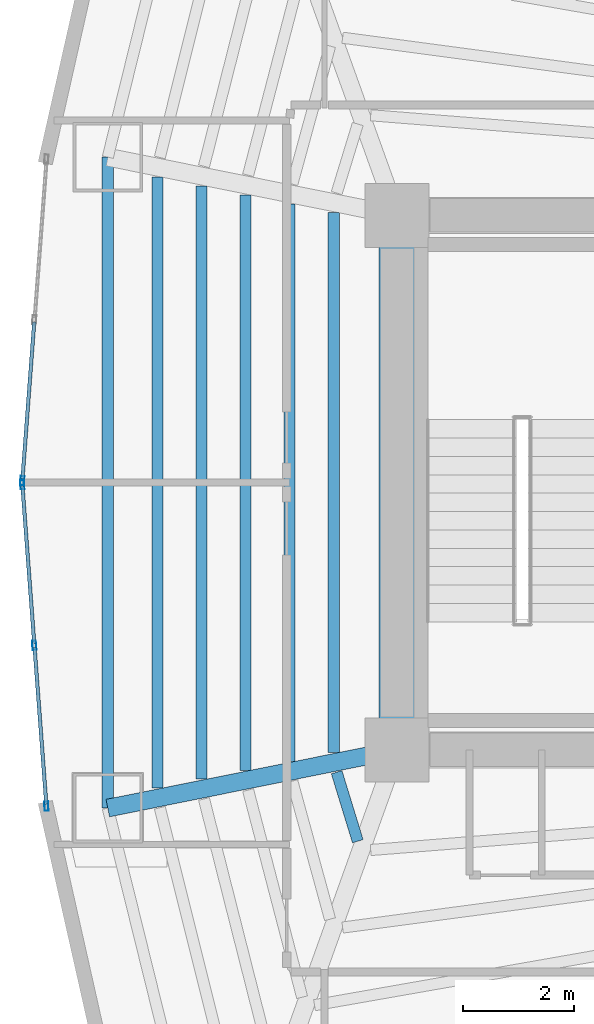
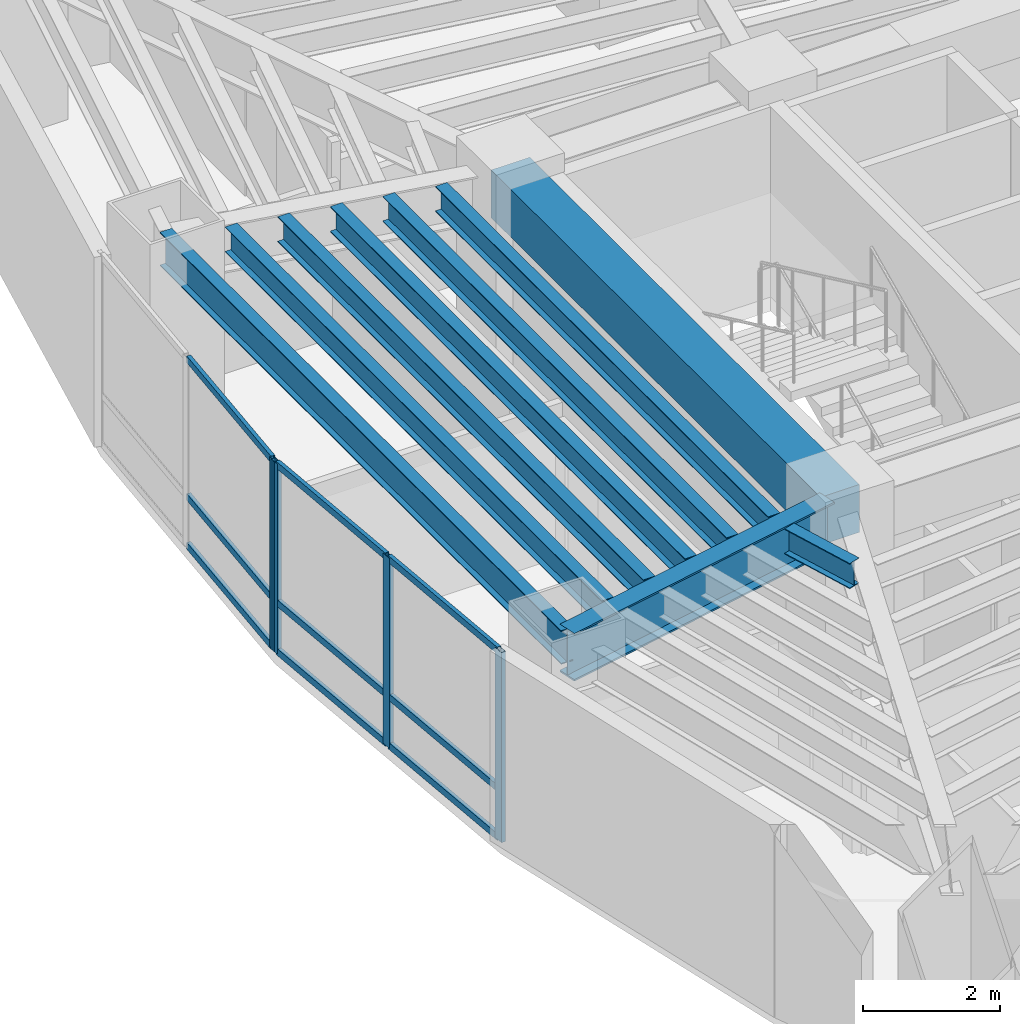
# One storey, part 3 of 16: 13 members, 9 beams, 2 elements without a shape of their own.
"""IFC4 building model written with IfcOpenShell, lengths in metres."""

from ifc_helpers import new_model, si_unit, direction, frame, origin, origin_2d, place, context, subcontext, project, spatial, rectangle, hollow_rectangle, i_section, extrude, material, layer, layer_set, material_profile, profile_set, type_object, element, aggregate, save


model = new_model("IFC4")

# Units and contexts
model_context = context("Model", 3, precision=1e-05, world=origin(), true_north=direction((0.0, 1.0)))
body_context = subcontext(model_context, "Body", "Model", "MODEL_VIEW")
ifc_project = project(units=[si_unit("LENGTHUNIT", "METRE"), si_unit("AREAUNIT", "SQUARE_METRE"), si_unit("VOLUMEUNIT", "CUBIC_METRE"), si_unit("PLANEANGLEUNIT", "RADIAN"), si_unit("MASSUNIT", "GRAM", prefix="KILO")], contexts=[model_context])

# Site, building, storey
site_placement = place(None, origin())
site = spatial("IfcSite", under=ifc_project, at=site_placement, CompositionType="ELEMENT")
building_placement = place(site_placement, origin())
building = spatial("IfcBuilding", under=site, at=building_placement, Name="Menara Vayukalpa", CompositionType="ELEMENT")
storey_placement = place(building_placement, frame((0.0, 0.0, 79.679931640625)))
storey = spatial("IfcBuildingStorey", under=building, at=storey_placement, Name="L19", CompositionType="ELEMENT", Elevation=79.679931640625)

# Beams
ifc_material_1 = material(Name="Concrete C60/75", Category="concrete")
ifc_material_profile_1 = material_profile(ifc_material_1, rectangle(XDim=0.64990234375, YDim=0.85009765625, at=origin_2d()), Name="RC 650x850")
ifc_profile_set_1 = profile_set([ifc_material_profile_1], Name="Concrete C60/75")
beam_type_1 = type_object("IfcBeamType", Name="BM-CB1", PredefinedType="BEAM", material=ifc_profile_set_1)
beam_1_placement = place(storey_placement, frame((17.800048828125, 17.199951171875, 2.955078125), z_axis=(0.0, 1.0, 0.0), x_axis=(-1.0, 0.0, 0.0)))
element("IfcBeam", 1, at=beam_1_placement, inside=storey, type_object=beam_type_1, Name="L19 Core Tie Beam CBR7", PredefinedType="BEAM", context=body_context, shape_type="SweptSolid", body=[
    extrude(rectangle(XDim=0.64990234375, YDim=0.85009765625, at=origin_2d()), origin(), (0.0, 0.0, 1.0), 9.60009765625),
])
ifc_material_2 = material(Name="Steel S355", Category="steel")
ifc_material_profile_2 = material_profile(ifc_material_2, i_section(OverallWidth=0.320068359375, OverallDepth=0.85009765625, WebThickness=0.01611328125, FlangeThickness=0.030029296875, at=origin_2d()), Name="WF 850x320x16x30")
ifc_profile_set_2 = profile_set([ifc_material_profile_2], Name="Steel S355")
beam_type_2 = type_object("IfcBeamType", Name="BM-PG2", PredefinedType="BEAM", material=ifc_profile_set_2)
beam_2_placement = place(storey_placement, frame((17.554931640625, 17.150634765625, 2.955078125), z_axis=(-0.980324984906, -0.197390283373, 0.0), x_axis=(0.197390283373, -0.980324984906, 0.0)))
element("IfcBeam", 2, at=beam_2_placement, inside=storey, type_object=beam_type_2, Name="L19 Primary Radial Girder RG06", PredefinedType="BEAM", context=body_context, shape_type="SweptSolid", body=[
    extrude(i_section(OverallWidth=0.320068359375, OverallDepth=0.85009765625, WebThickness=0.01611328125, FlangeThickness=0.030029296875, at=origin_2d()), origin(), (0.0, 0.0, 1.0), 5.047607421875),
])
ifc_material_3 = material(Name="Steel S355", Category="steel")
ifc_material_profile_3 = material_profile(ifc_material_3, i_section(OverallWidth=0.199951171875, OverallDepth=0.449951171875, WebThickness=0.009033203125, FlangeThickness=0.013916015625, at=origin_2d()), Name="WF 450x200x9x14")
ifc_profile_set_3 = profile_set([ifc_material_profile_3], Name="Steel S355")
beam_type_3 = type_object("IfcBeamType", Name="BM-SJ1", PredefinedType="JOIST", material=ifc_profile_set_3)
beam_3_placement = place(storey_placement, frame((16.664306640625, 26.8486328125, 3.155029296875), z_axis=(0.0, -1.0, 0.0), x_axis=(1.0, 0.0, 0.0)))
element("IfcBeam", 3, at=beam_3_placement, inside=storey, type_object=beam_type_3, Name="L19 Secondary Floor Joist SJ05-1", PredefinedType="JOIST", context=body_context, shape_type="SweptSolid", body=[
    extrude(i_section(OverallWidth=0.199951171875, OverallDepth=0.449951171875, WebThickness=0.009033203125, FlangeThickness=0.013916015625, at=origin_2d()), origin(), (0.0, 0.0, 1.0), 9.697265625),
])
beam_4_placement = place(storey_placement, frame((15.87255859375, 27.008056640625, 3.155029296875), z_axis=(0.0, -1.0, 0.0), x_axis=(1.0, 0.0, 0.0)))
element("IfcBeam", 4, at=beam_4_placement, inside=storey, type_object=beam_type_3, Name="L19 Secondary Floor Joist SJ05-2", PredefinedType="JOIST", context=body_context, shape_type="SweptSolid", body=[
    extrude(i_section(OverallWidth=0.199951171875, OverallDepth=0.449951171875, WebThickness=0.009033203125, FlangeThickness=0.013916015625, at=origin_2d()), origin(), (0.0, 0.0, 1.0), 10.01611328125),
])
beam_5_placement = place(storey_placement, frame((15.080810546875, 27.16748046875, 3.155029296875), z_axis=(0.0, -1.0, 0.0), x_axis=(1.0, 0.0, 0.0)))
element("IfcBeam", 5, at=beam_5_placement, inside=storey, type_object=beam_type_3, Name="L19 Secondary Floor Joist SJ05-3", PredefinedType="JOIST", context=body_context, shape_type="SweptSolid", body=[
    extrude(i_section(OverallWidth=0.199951171875, OverallDepth=0.449951171875, WebThickness=0.009033203125, FlangeThickness=0.013916015625, at=origin_2d()), origin(), (0.0, 0.0, 1.0), 10.3349609375),
])
beam_6_placement = place(storey_placement, frame((14.2890625, 27.326904296875, 3.155029296875), z_axis=(0.0, -1.0, 0.0), x_axis=(1.0, 0.0, 0.0)))
element("IfcBeam", 6, at=beam_6_placement, inside=storey, type_object=beam_type_3, Name="L19 Secondary Floor Joist SJ05-4", PredefinedType="JOIST", context=body_context, shape_type="SweptSolid", body=[
    extrude(i_section(OverallWidth=0.199951171875, OverallDepth=0.449951171875, WebThickness=0.009033203125, FlangeThickness=0.013916015625, at=origin_2d()), origin(), (0.0, 0.0, 1.0), 10.65380859375),
])
beam_7_placement = place(storey_placement, frame((13.497314453125, 27.486328125, 3.155029296875), z_axis=(0.0, -1.0, 0.0), x_axis=(1.0, 0.0, 0.0)))
element("IfcBeam", 7, at=beam_7_placement, inside=storey, type_object=beam_type_3, Name="L19 Secondary Floor Joist SJ05-5", PredefinedType="JOIST", context=body_context, shape_type="SweptSolid", body=[
    extrude(i_section(OverallWidth=0.199951171875, OverallDepth=0.449951171875, WebThickness=0.009033203125, FlangeThickness=0.013916015625, at=origin_2d()), origin(), (0.0, 0.0, 1.0), 10.97265625),
])
beam_8_placement = place(storey_placement, frame((16.716796875, 16.79931640625, 3.155029296875), z_axis=(0.292802109412, -0.95617306212, 0.0), x_axis=(0.95617306212, 0.292802109412, 0.0)))
element("IfcBeam", 8, at=beam_8_placement, inside=storey, type_object=beam_type_3, Name="L19 Secondary Floor Joist SJ06-1", PredefinedType="JOIST", context=body_context, shape_type="SweptSolid", body=[
    extrude(i_section(OverallWidth=0.199951171875, OverallDepth=0.449951171875, WebThickness=0.009033203125, FlangeThickness=0.013916015625, at=origin_2d()), origin(), (0.0, 0.0, 1.0), 1.296630859375),
])
ifc_material_4 = material(Name="Steel S355", Category="steel")
ifc_material_profile_4 = material_profile(ifc_material_4, i_section(OverallWidth=0.199951171875, OverallDepth=0.60009765625, WebThickness=0.010986328125, FlangeThickness=0.01708984375, at=origin_2d()), Name="WF 600x200x11x17")
ifc_profile_set_4 = profile_set([ifc_material_profile_4], Name="Steel S355")
beam_type_4 = type_object("IfcBeamType", Name="BM-SP1", PredefinedType="SPANDREL", material=ifc_profile_set_4)
beam_9_placement = place(storey_placement, frame((12.606689453125, 27.845703125, 3.080078125), z_axis=(0.0, -1.0, 0.0), x_axis=(1.0, 0.0, 0.0)))
element("IfcBeam", 9, at=beam_9_placement, inside=storey, type_object=beam_type_4, Name="L19 Perimeter Spandrel Beam SP05", PredefinedType="SPANDREL", context=body_context, shape_type="SweptSolid", body=[
    extrude(i_section(OverallWidth=0.199951171875, OverallDepth=0.60009765625, WebThickness=0.010986328125, FlangeThickness=0.01708984375, at=origin_2d()), origin(), (0.0, 0.0, 1.0), 11.69140625),
])

# Curtain wall, member
ifc_material_5 = material(Name="Anodised Terracotta Aluminium Alloy 6063-T6", Category="masonry")
ifc_layer = layer(ifc_material_5, 0.1650390625)
ifc_layer_set = layer_set([ifc_layer], Name="Anodised Terracotta Aluminium Alloy 6063-T6")
curtain_wall_type = type_object("IfcCurtainWallType", Name="CW-CW2", PredefinedType="USERDEFINED", material=ifc_layer_set)
curtain_wall_1_placement = place(storey_placement, origin())
curtain_wall_1 = element("IfcCurtainWall", 10, at=curtain_wall_1_placement, inside=storey, type_object=curtain_wall_type, Name="L19 Low Rise Terracotta Ribbon Curtain Wall CW2 10", ObjectType="UNITISED", PredefinedType="USERDEFINED")
ifc_material_6 = material(Name="Anodised Terracotta Aluminium Alloy 6063-T6", Category="masonry")
ifc_material_profile_5 = material_profile(ifc_material_6, hollow_rectangle(XDim=0.070068359375, YDim=0.1650390625, WallThickness=0.00390625, at=origin_2d()), Name="ALU 70x165x4")
ifc_profile_set_5 = profile_set([ifc_material_profile_5], Name="Anodised Terracotta Aluminium Alloy 6063-T6")
member_type_1 = type_object("IfcMemberType", Name="CWM-CW2", PredefinedType="MULLION", material=ifc_profile_set_5)
member_1_placement = place(storey_placement, frame((11.07080078125, 22.034912109375, 0.0), z_axis=(0.0, 0.0, 1.0), x_axis=(0.997199659745, -0.07478528334, 0.0)))
member_1 = element("IfcMember", 11, at=member_1_placement, type_object=member_type_1, Name="CW2 mullion 3", PredefinedType="MULLION", context=body_context, shape_type="SweptSolid", body=[
    extrude(hollow_rectangle(XDim=0.070068359375, YDim=0.1650390625, WallThickness=0.00390625, at=origin_2d()), origin(), (0.0, 0.0, 1.0), 3.380126953125),
])

# Curtain wall, members
curtain_wall_2_placement = place(storey_placement, origin())
curtain_wall_2 = element("IfcCurtainWall", 12, at=curtain_wall_2_placement, inside=storey, type_object=curtain_wall_type, Name="L19 Low Rise Terracotta Ribbon Curtain Wall CW2 11", ObjectType="UNITISED", PredefinedType="USERDEFINED")
member_2_placement = place(storey_placement, frame((11.07080078125, 21.965087890625, 0.0), z_axis=(0.0, 0.0, 1.0), x_axis=(0.997199659745, 0.07478528334, 0.0)))
member_2 = element("IfcMember", 13, at=member_2_placement, type_object=member_type_1, Name="CW2 mullion 1", PredefinedType="MULLION", context=body_context, shape_type="SweptSolid", body=[
    extrude(hollow_rectangle(XDim=0.070068359375, YDim=0.1650390625, WallThickness=0.00390625, at=origin_2d()), origin(), (0.0, 0.0, 1.0), 3.380126953125),
])
member_3_placement = place(storey_placement, frame((11.287353515625, 19.0771484375, 0.0), z_axis=(0.0, 0.0, 1.0), x_axis=(0.997199659745, 0.07478528334, 0.0)))
member_3 = element("IfcMember", 14, at=member_3_placement, type_object=member_type_1, Name="CW2 mullion 2", PredefinedType="MULLION", context=body_context, shape_type="SweptSolid", body=[
    extrude(hollow_rectangle(XDim=0.070068359375, YDim=0.1650390625, WallThickness=0.00390625, at=origin_2d()), origin(), (0.0, 0.0, 1.0), 3.380126953125),
])
member_4_placement = place(storey_placement, frame((11.50390625, 16.189208984375, 0.0), z_axis=(0.0, 0.0, 1.0), x_axis=(0.997199659745, 0.07478528334, 0.0)))
member_4 = element("IfcMember", 15, at=member_4_placement, type_object=member_type_1, Name="CW2 mullion 3", PredefinedType="MULLION", context=body_context, shape_type="SweptSolid", body=[
    extrude(hollow_rectangle(XDim=0.070068359375, YDim=0.1650390625, WallThickness=0.00390625, at=origin_2d()), origin(), (0.0, 0.0, 1.0), 3.380126953125),
])

# Member
ifc_material_7 = material(Name="Anodised Terracotta Aluminium Alloy 6063-T6", Category="masonry")
ifc_material_profile_6 = material_profile(ifc_material_7, hollow_rectangle(XDim=0.06494140625, YDim=0.1201171875, WallThickness=0.00341796875, at=origin_2d()), Name="ALU 65x120x3.5")
ifc_profile_set_6 = profile_set([ifc_material_profile_6], Name="Anodised Terracotta Aluminium Alloy 6063-T6")
member_type_2 = type_object("IfcMemberType", Name="CWT-CW2", PredefinedType="USERDEFINED", material=ifc_profile_set_6)
member_5_placement = place(storey_placement, frame((11.28466796875, 24.887939453125, 0.032470703125), z_axis=(-0.074727665421, -0.997203979144, 0.0), x_axis=(0.997203979144, -0.074727665421, 0.0)))
member_5 = element("IfcMember", 16, at=member_5_placement, type_object=member_type_2, Name="CW2 transom 2.1", ObjectType="TRANSOM", PredefinedType="USERDEFINED", context=body_context, shape_type="SweptSolid", body=[
    extrude(hollow_rectangle(XDim=0.06494140625, YDim=0.1201171875, WallThickness=0.00341796875, at=origin_2d()), origin(), (0.0, 0.0, 1.0), 2.825927734375),
])

member_6_placement = place(storey_placement, frame((11.28466796875, 24.887939453125, 0.900146484375), z_axis=(-0.074727665421, -0.997203979144, 0.0), x_axis=(0.997203979144, -0.074727665421, 0.0)))
member_6 = element("IfcMember", 17, at=member_6_placement, type_object=member_type_2, Name="CW2 transom 2.2", ObjectType="TRANSOM", PredefinedType="USERDEFINED", context=body_context, shape_type="SweptSolid", body=[
    extrude(hollow_rectangle(XDim=0.06494140625, YDim=0.1201171875, WallThickness=0.00341796875, at=origin_2d()), origin(), (0.0, 0.0, 1.0), 2.825927734375),
])

member_7_placement = place(storey_placement, frame((11.28466796875, 24.887939453125, 3.34765625), z_axis=(-0.074727665421, -0.997203979144, 0.0), x_axis=(0.997203979144, -0.074727665421, 0.0)))
member_7 = element("IfcMember", 18, at=member_7_placement, type_object=member_type_2, Name="CW2 transom 2.3", ObjectType="TRANSOM", PredefinedType="USERDEFINED", context=body_context, shape_type="SweptSolid", body=[
    extrude(hollow_rectangle(XDim=0.06494140625, YDim=0.1201171875, WallThickness=0.00341796875, at=origin_2d()), origin(), (0.0, 0.0, 1.0), 2.825927734375),
])

aggregate(curtain_wall_1, [member_1, member_5, member_6, member_7])

member_8_placement = place(storey_placement, frame((11.073486328125, 21.93017578125, 0.032470703125), z_axis=(0.074727665421, -0.997203979144, 0.0), x_axis=(0.997203979144, 0.074727665421, 0.0)))
member_8 = element("IfcMember", 19, at=member_8_placement, type_object=member_type_2, Name="CW2 transom 1.1", ObjectType="TRANSOM", PredefinedType="USERDEFINED", context=body_context, shape_type="SweptSolid", body=[
    extrude(hollow_rectangle(XDim=0.06494140625, YDim=0.1201171875, WallThickness=0.00341796875, at=origin_2d()), origin(), (0.0, 0.0, 1.0), 2.825927734375),
])

member_9_placement = place(storey_placement, frame((11.073486328125, 21.93017578125, 0.900146484375), z_axis=(0.074727665421, -0.997203979144, 0.0), x_axis=(0.997203979144, 0.074727665421, 0.0)))
member_9 = element("IfcMember", 20, at=member_9_placement, type_object=member_type_2, Name="CW2 transom 1.2", ObjectType="TRANSOM", PredefinedType="USERDEFINED", context=body_context, shape_type="SweptSolid", body=[
    extrude(hollow_rectangle(XDim=0.06494140625, YDim=0.1201171875, WallThickness=0.00341796875, at=origin_2d()), origin(), (0.0, 0.0, 1.0), 2.825927734375),
])

member_10_placement = place(storey_placement, frame((11.073486328125, 21.93017578125, 3.34765625), z_axis=(0.074727665421, -0.997203979144, 0.0), x_axis=(0.997203979144, 0.074727665421, 0.0)))
member_10 = element("IfcMember", 21, at=member_10_placement, type_object=member_type_2, Name="CW2 transom 1.3", ObjectType="TRANSOM", PredefinedType="USERDEFINED", context=body_context, shape_type="SweptSolid", body=[
    extrude(hollow_rectangle(XDim=0.06494140625, YDim=0.1201171875, WallThickness=0.00341796875, at=origin_2d()), origin(), (0.0, 0.0, 1.0), 2.825927734375),
])

member_11_placement = place(storey_placement, frame((11.2900390625, 19.042236328125, 0.032470703125), z_axis=(0.074813572531, -0.997197537785, 0.0), x_axis=(0.997197537785, 0.074813572531, 0.0)))
member_11 = element("IfcMember", 22, at=member_11_placement, type_object=member_type_2, Name="CW2 transom 2.1", ObjectType="TRANSOM", PredefinedType="USERDEFINED", context=body_context, shape_type="SweptSolid", body=[
    extrude(hollow_rectangle(XDim=0.06494140625, YDim=0.1201171875, WallThickness=0.00341796875, at=origin_2d()), origin(), (0.0, 0.0, 1.0), 2.825927734375),
])

member_12_placement = place(storey_placement, frame((11.2900390625, 19.042236328125, 0.900146484375), z_axis=(0.074813572531, -0.997197537785, 0.0), x_axis=(0.997197537785, 0.074813572531, 0.0)))
member_12 = element("IfcMember", 23, at=member_12_placement, type_object=member_type_2, Name="CW2 transom 2.2", ObjectType="TRANSOM", PredefinedType="USERDEFINED", context=body_context, shape_type="SweptSolid", body=[
    extrude(hollow_rectangle(XDim=0.06494140625, YDim=0.1201171875, WallThickness=0.00341796875, at=origin_2d()), origin(), (0.0, 0.0, 1.0), 2.825927734375),
])

member_13_placement = place(storey_placement, frame((11.2900390625, 19.042236328125, 3.34765625), z_axis=(0.074813572531, -0.997197537785, 0.0), x_axis=(0.997197537785, 0.074813572531, 0.0)))
member_13 = element("IfcMember", 24, at=member_13_placement, type_object=member_type_2, Name="CW2 transom 2.3", ObjectType="TRANSOM", PredefinedType="USERDEFINED", context=body_context, shape_type="SweptSolid", body=[
    extrude(hollow_rectangle(XDim=0.06494140625, YDim=0.1201171875, WallThickness=0.00341796875, at=origin_2d()), origin(), (0.0, 0.0, 1.0), 2.825927734375),
])

aggregate(curtain_wall_2, [member_2, member_3, member_4, member_8, member_9, member_10, member_11, member_12, member_13])

save(model, "model.ifc")
